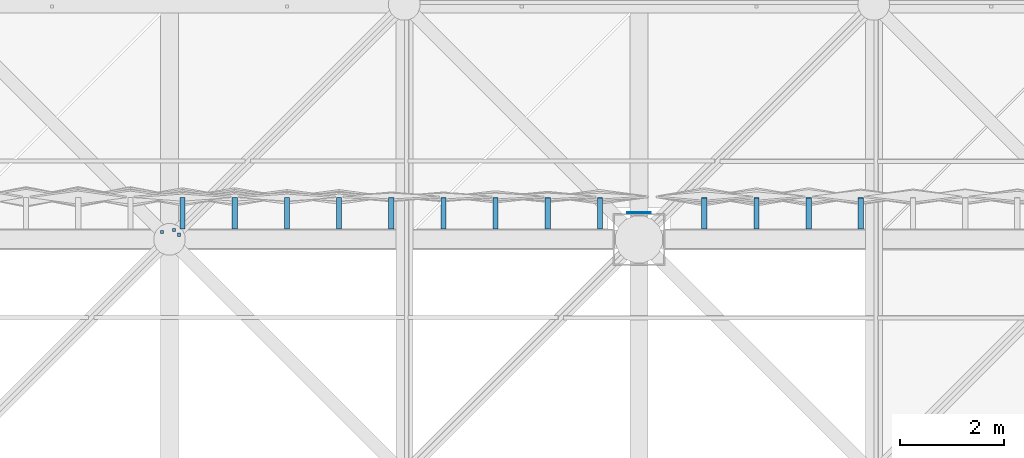
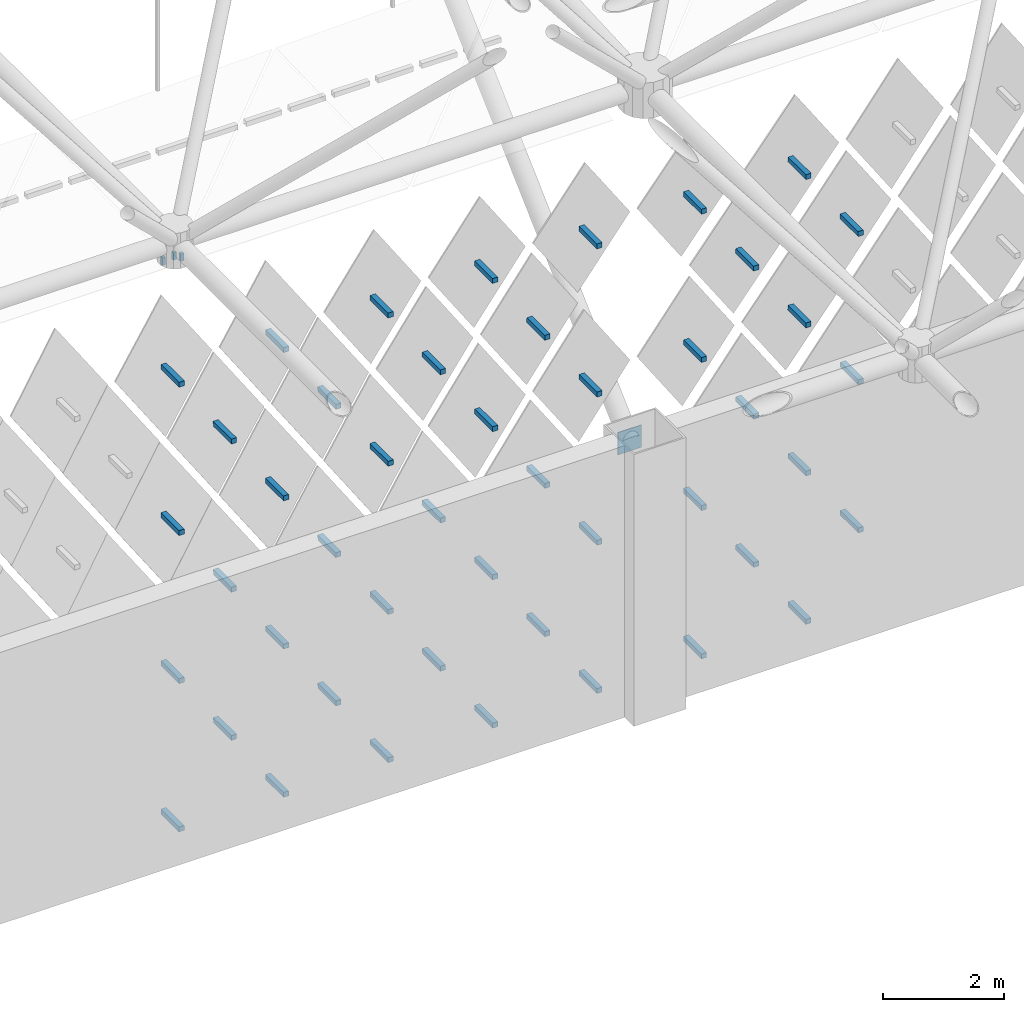
# One storey, part 394 of 437: 50 discrete accessories.
"""IFC4 building model written with IfcOpenShell, lengths in metres."""

from ifc_helpers import new_model, si_unit, direction, frame, origin, place, context, subcontext, project, spatial, polyline, outline, extrude, material, layer, layer_set, type_object, element, save


model = new_model("IFC4")

# Units and contexts
model_context = context("Model", 3, precision=1e-05, world=origin(), true_north=direction((0.0, 1.0)))
body_context = subcontext(model_context, "Body", "Model", "MODEL_VIEW")
ifc_project = project(units=[si_unit("LENGTHUNIT", "METRE"), si_unit("AREAUNIT", "SQUARE_METRE"), si_unit("VOLUMEUNIT", "CUBIC_METRE"), si_unit("PLANEANGLEUNIT", "RADIAN"), si_unit("MASSUNIT", "GRAM", prefix="KILO")], contexts=[model_context])

# Site, building, storey
site_placement = place(None, origin())
site = spatial("IfcSite", under=ifc_project, at=site_placement, CompositionType="ELEMENT")
building_placement = place(site_placement, origin())
building = spatial("IfcBuilding", under=site, at=building_placement, Name="Opaline Strait Convention Centre", CompositionType="ELEMENT")
storey_placement = place(building_placement, frame((0.0, 0.0, 11.5)))
storey = spatial("IfcBuildingStorey", under=building, at=storey_placement, Name="L02", CompositionType="ELEMENT", Elevation=11.5)

# Discrete accessories
ifc_material_1 = material(Name="Structural steel Q355B", Category="steel")
ifc_layer = layer(ifc_material_1, 0.01611328125)
ifc_layer_set = layer_set([ifc_layer], Name="Structural steel Q355B")
discrete_accessory_type_1 = type_object("IfcDiscreteAccessoryType", Name="Prop bearing plate 450 x 450 x 16", PredefinedType="ANCHORPLATE", material=ifc_layer_set)
discrete_accessory_1_placement = place(storey_placement, frame((0.0, 0.0, 4.7900390625)))
element("IfcDiscreteAccessory", 1, at=discrete_accessory_1_placement, inside=storey, type_object=discrete_accessory_type_1, Name="Prop bearing plate 225/153 N", PredefinedType="ANCHORPLATE", context=body_context, shape_type="SweptSolid", body=[
    extrude(outline(polyline([(224.77490234375, 153.5), (225.22509765625, 153.5), (225.22509765625, 153.51611328125), (224.77490234375, 153.51611328125), (224.77490234375, 153.5)])), origin(), (0.0, 0.0, 1.0), 0.449951171875),
])
ifc_material_2 = material(Name="Steel Q355B", Category="steel")
discrete_accessory_type_2 = type_object("IfcDiscreteAccessoryType", Name="Soffit hanger 60x60 steel", PredefinedType="BRACKET", material=ifc_material_2)
discrete_accessory_2_placement = place(storey_placement, frame((0.0, 0.0, 11.990234375)))
element("IfcDiscreteAccessory", 2, at=discrete_accessory_2_placement, inside=storey, type_object=discrete_accessory_type_2, Name="Soffit hanger", PredefinedType="BRACKET", context=body_context, shape_type="SweptSolid", body=[
    extrude(outline(polyline([(215.82861328125, 153.111328125), (215.888671875, 153.111328125), (215.888671875, 153.17138671875), (215.82861328125, 153.17138671875), (215.82861328125, 153.111328125)])), origin(), (0.0, 0.0, 1.0), 0.149658203125),
])
discrete_accessory_3_placement = place(storey_placement, frame((0.0, 0.0, 11.9931640625)))
element("IfcDiscreteAccessory", 3, at=discrete_accessory_3_placement, inside=storey, type_object=discrete_accessory_type_2, Name="Soffit hanger", PredefinedType="BRACKET", context=body_context, shape_type="SweptSolid", body=[
    extrude(outline(polyline([(216.14892578125, 153.059326171875), (216.208984375, 153.059326171875), (216.208984375, 153.119140625), (216.14892578125, 153.119140625), (216.14892578125, 153.059326171875)])), origin(), (0.0, 0.0, 1.0), 0.146728515625),
])
discrete_accessory_4_placement = place(storey_placement, frame((0.0, 0.0, 11.9931640625)))
element("IfcDiscreteAccessory", 4, at=discrete_accessory_4_placement, inside=storey, type_object=discrete_accessory_type_2, Name="Soffit hanger", PredefinedType="BRACKET", context=body_context, shape_type="SweptSolid", body=[
    extrude(outline(polyline([(216.059326171875, 153.14892578125), (216.119140625, 153.14892578125), (216.119140625, 153.208984375), (216.059326171875, 153.208984375), (216.059326171875, 153.14892578125)])), origin(), (0.0, 0.0, 1.0), 0.146728515625),
])
discrete_accessory_type_3 = type_object("IfcDiscreteAccessoryType", Name="Tile bracket 100x100 steel", PredefinedType="BRACKET", material=ifc_material_2)
discrete_accessory_5_placement = place(storey_placement, frame((228.300048828125, 153.199951171875, 0.39208984375), z_axis=(-1.0, 0.0, 0.0), x_axis=(0.0, -1.0, 0.0)))
element("IfcDiscreteAccessory", 5, at=discrete_accessory_5_placement, inside=storey, type_object=discrete_accessory_type_3, Name="Tile bracket XT07 N", PredefinedType="BRACKET", context=body_context, shape_type="SweptSolid", body=[
    extrude(outline(polyline([(0.0, -0.050048828125), (0.0, 0.050048828125), (-0.596923828125, 0.050048828125), (-0.60302734375, -0.050048828125), (0.0, -0.050048828125)])), origin(), (0.0, 0.0, 1.0), 0.10009765625),
])
discrete_accessory_6_placement = place(storey_placement, frame((226.300048828125, 153.199951171875, 0.39208984375), z_axis=(-1.0, 0.0, 0.0), x_axis=(0.0, -1.0, 0.0)))
element("IfcDiscreteAccessory", 6, at=discrete_accessory_6_placement, inside=storey, type_object=discrete_accessory_type_3, Name="Tile bracket XT05 N", PredefinedType="BRACKET", context=body_context, shape_type="SweptSolid", body=[
    extrude(outline(polyline([(0.0, -0.050048828125), (0.0, 0.050048828125), (-0.597900390625, 0.050048828125), (-0.602294921875, -0.050048828125), (0.0, -0.050048828125)])), origin(), (0.0, 0.0, 1.0), 0.10009765625),
])
discrete_accessory_7_placement = place(storey_placement, frame((224.300048828125, 153.199951171875, 0.39208984375), z_axis=(-1.0, 0.0, 0.0), x_axis=(0.0, -1.0, 0.0)))
element("IfcDiscreteAccessory", 7, at=discrete_accessory_7_placement, inside=storey, type_object=discrete_accessory_type_3, Name="Tile bracket XT05 N", PredefinedType="BRACKET", context=body_context, shape_type="SweptSolid", body=[
    extrude(outline(polyline([(0.0, -0.050048828125), (0.0, 0.050048828125), (-0.602294921875, 0.050048828125), (-0.597900390625, -0.050048828125), (0.0, -0.050048828125)])), origin(), (0.0, 0.0, 1.0), 0.10009765625),
])
discrete_accessory_8_placement = place(storey_placement, frame((222.300048828125, 153.199951171875, 0.39208984375), z_axis=(-1.0, 0.0, 0.0), x_axis=(0.0, -1.0, 0.0)))
element("IfcDiscreteAccessory", 8, at=discrete_accessory_8_placement, inside=storey, type_object=discrete_accessory_type_3, Name="Tile bracket XT07 N", PredefinedType="BRACKET", context=body_context, shape_type="SweptSolid", body=[
    extrude(outline(polyline([(0.0, -0.050048828125), (0.0, 0.050048828125), (-0.60302734375, 0.050048828125), (-0.596923828125, -0.050048828125), (0.0, -0.050048828125)])), origin(), (0.0, 0.0, 1.0), 0.10009765625),
])
discrete_accessory_9_placement = place(storey_placement, frame((220.300048828125, 153.199951171875, 0.39208984375), z_axis=(-1.0, 0.0, 0.0), x_axis=(0.0, -1.0, 0.0)))
element("IfcDiscreteAccessory", 9, at=discrete_accessory_9_placement, inside=storey, type_object=discrete_accessory_type_3, Name="Tile bracket XT10 N", PredefinedType="BRACKET", context=body_context, shape_type="SweptSolid", body=[
    extrude(outline(polyline([(0.0, -0.050048828125), (0.0, 0.050048828125), (-0.604248046875, 0.050048828125), (-0.595703125, -0.050048828125), (0.0, -0.050048828125)])), origin(), (0.0, 0.0, 1.0), 0.10009765625),
])
discrete_accessory_10_placement = place(storey_placement, frame((218.300048828125, 153.199951171875, 0.39208984375), z_axis=(-1.0, 0.0, 0.0), x_axis=(0.0, -1.0, 0.0)))
element("IfcDiscreteAccessory", 10, at=discrete_accessory_10_placement, inside=storey, type_object=discrete_accessory_type_3, Name="Tile bracket XT13 N", PredefinedType="BRACKET", context=body_context, shape_type="SweptSolid", body=[
    extrude(outline(polyline([(0.0, -0.050048828125), (0.0, 0.050048828125), (-0.605712890625, 0.050048828125), (-0.59423828125, -0.050048828125), (0.0, -0.050048828125)])), origin(), (0.0, 0.0, 1.0), 0.10009765625),
])
discrete_accessory_11_placement = place(storey_placement, frame((216.300048828125, 153.199951171875, 0.39208984375), z_axis=(-1.0, 0.0, 0.0), x_axis=(0.0, -1.0, 0.0)))
element("IfcDiscreteAccessory", 11, at=discrete_accessory_11_placement, inside=storey, type_object=discrete_accessory_type_3, Name="Tile bracket XT14 N", PredefinedType="BRACKET", context=body_context, shape_type="SweptSolid", body=[
    extrude(outline(polyline([(0.0, -0.050048828125), (0.0, 0.050048828125), (-0.606201171875, 0.050048828125), (-0.59375, -0.050048828125), (0.0, -0.050048828125)])), origin(), (0.0, 0.0, 1.0), 0.10009765625),
])
discrete_accessory_12_placement = place(storey_placement, frame((229.300048828125, 153.199951171875, 1.89208984375), z_axis=(-1.0, 0.0, 0.0), x_axis=(0.0, -1.0, 0.0)))
element("IfcDiscreteAccessory", 12, at=discrete_accessory_12_placement, inside=storey, type_object=discrete_accessory_type_3, Name="Tile bracket XT10 N", PredefinedType="BRACKET", context=body_context, shape_type="SweptSolid", body=[
    extrude(outline(polyline([(0.0, -0.050048828125), (0.0, 0.050048828125), (-0.595703125, 0.050048828125), (-0.604248046875, -0.050048828125), (0.0, -0.050048828125)])), origin(), (0.0, 0.0, 1.0), 0.10009765625),
])
discrete_accessory_13_placement = place(storey_placement, frame((227.300048828125, 153.199951171875, 1.89208984375), z_axis=(-1.0, 0.0, 0.0), x_axis=(0.0, -1.0, 0.0)))
element("IfcDiscreteAccessory", 13, at=discrete_accessory_13_placement, inside=storey, type_object=discrete_accessory_type_3, Name="Tile bracket XT07 N", PredefinedType="BRACKET", context=body_context, shape_type="SweptSolid", body=[
    extrude(outline(polyline([(0.0, -0.050048828125), (0.0, 0.050048828125), (-0.596923828125, 0.050048828125), (-0.60302734375, -0.050048828125), (0.0, -0.050048828125)])), origin(), (0.0, 0.0, 1.0), 0.10009765625),
])
discrete_accessory_14_placement = place(storey_placement, frame((223.300048828125, 153.199951171875, 1.89208984375), z_axis=(-1.0, 0.0, 0.0), x_axis=(0.0, -1.0, 0.0)))
element("IfcDiscreteAccessory", 14, at=discrete_accessory_14_placement, inside=storey, type_object=discrete_accessory_type_3, Name="Tile bracket XT05 N", PredefinedType="BRACKET", context=body_context, shape_type="SweptSolid", body=[
    extrude(outline(polyline([(0.0, -0.050048828125), (0.0, 0.050048828125), (-0.602294921875, 0.050048828125), (-0.597900390625, -0.050048828125), (0.0, -0.050048828125)])), origin(), (0.0, 0.0, 1.0), 0.10009765625),
])
discrete_accessory_15_placement = place(storey_placement, frame((221.300048828125, 153.199951171875, 1.89208984375), z_axis=(-1.0, 0.0, 0.0), x_axis=(0.0, -1.0, 0.0)))
element("IfcDiscreteAccessory", 15, at=discrete_accessory_15_placement, inside=storey, type_object=discrete_accessory_type_3, Name="Tile bracket XT06 N", PredefinedType="BRACKET", context=body_context, shape_type="SweptSolid", body=[
    extrude(outline(polyline([(0.0, -0.050048828125), (0.0, 0.050048828125), (-0.6025390625, 0.050048828125), (-0.597412109375, -0.050048828125), (0.0, -0.050048828125)])), origin(), (0.0, 0.0, 1.0), 0.10009765625),
])
discrete_accessory_16_placement = place(storey_placement, frame((219.300048828125, 153.199951171875, 1.89208984375), z_axis=(-1.0, 0.0, 0.0), x_axis=(0.0, -1.0, 0.0)))
element("IfcDiscreteAccessory", 16, at=discrete_accessory_16_placement, inside=storey, type_object=discrete_accessory_type_3, Name="Tile bracket XT10 N", PredefinedType="BRACKET", context=body_context, shape_type="SweptSolid", body=[
    extrude(outline(polyline([(0.0, -0.050048828125), (0.0, 0.050048828125), (-0.604248046875, 0.050048828125), (-0.595703125, -0.050048828125), (0.0, -0.050048828125)])), origin(), (0.0, 0.0, 1.0), 0.10009765625),
])
discrete_accessory_17_placement = place(storey_placement, frame((217.300048828125, 153.199951171875, 1.89208984375), z_axis=(-1.0, 0.0, 0.0), x_axis=(0.0, -1.0, 0.0)))
element("IfcDiscreteAccessory", 17, at=discrete_accessory_17_placement, inside=storey, type_object=discrete_accessory_type_3, Name="Tile bracket XT13 N", PredefinedType="BRACKET", context=body_context, shape_type="SweptSolid", body=[
    extrude(outline(polyline([(0.0, -0.050048828125), (0.0, 0.050048828125), (-0.605712890625, 0.050048828125), (-0.59423828125, -0.050048828125), (0.0, -0.050048828125)])), origin(), (0.0, 0.0, 1.0), 0.10009765625),
])
discrete_accessory_18_placement = place(storey_placement, frame((228.300048828125, 153.199951171875, 3.39208984375), z_axis=(-1.0, 0.0, 0.0), x_axis=(0.0, -1.0, 0.0)))
element("IfcDiscreteAccessory", 18, at=discrete_accessory_18_placement, inside=storey, type_object=discrete_accessory_type_3, Name="Tile bracket XT11 N", PredefinedType="BRACKET", context=body_context, shape_type="SweptSolid", body=[
    extrude(outline(polyline([(0.0, -0.050048828125), (0.0, 0.050048828125), (-0.59521484375, 0.050048828125), (-0.604736328125, -0.050048828125), (0.0, -0.050048828125)])), origin(), (0.0, 0.0, 1.0), 0.10009765625),
])
discrete_accessory_19_placement = place(storey_placement, frame((226.300048828125, 153.199951171875, 3.39208984375), z_axis=(-1.0, 0.0, 0.0), x_axis=(0.0, -1.0, 0.0)))
element("IfcDiscreteAccessory", 19, at=discrete_accessory_19_placement, inside=storey, type_object=discrete_accessory_type_3, Name="Tile bracket XT07 N", PredefinedType="BRACKET", context=body_context, shape_type="SweptSolid", body=[
    extrude(outline(polyline([(0.0, -0.050048828125), (0.0, 0.050048828125), (-0.596923828125, 0.050048828125), (-0.60302734375, -0.050048828125), (0.0, -0.050048828125)])), origin(), (0.0, 0.0, 1.0), 0.10009765625),
])
discrete_accessory_20_placement = place(storey_placement, frame((224.300048828125, 153.199951171875, 3.39208984375), z_axis=(-1.0, 0.0, 0.0), x_axis=(0.0, -1.0, 0.0)))
element("IfcDiscreteAccessory", 20, at=discrete_accessory_20_placement, inside=storey, type_object=discrete_accessory_type_3, Name="Tile bracket XT05 N", PredefinedType="BRACKET", context=body_context, shape_type="SweptSolid", body=[
    extrude(outline(polyline([(0.0, -0.050048828125), (0.0, 0.050048828125), (-0.597900390625, 0.050048828125), (-0.602294921875, -0.050048828125), (0.0, -0.050048828125)])), origin(), (0.0, 0.0, 1.0), 0.10009765625),
])
discrete_accessory_21_placement = place(storey_placement, frame((222.300048828125, 153.199951171875, 3.39208984375), z_axis=(-1.0, 0.0, 0.0), x_axis=(0.0, -1.0, 0.0)))
element("IfcDiscreteAccessory", 21, at=discrete_accessory_21_placement, inside=storey, type_object=discrete_accessory_type_3, Name="Tile bracket XT05 N", PredefinedType="BRACKET", context=body_context, shape_type="SweptSolid", body=[
    extrude(outline(polyline([(0.0, -0.050048828125), (0.0, 0.050048828125), (-0.602294921875, 0.050048828125), (-0.597900390625, -0.050048828125), (0.0, -0.050048828125)])), origin(), (0.0, 0.0, 1.0), 0.10009765625),
])
discrete_accessory_22_placement = place(storey_placement, frame((220.300048828125, 153.199951171875, 3.39208984375), z_axis=(-1.0, 0.0, 0.0), x_axis=(0.0, -1.0, 0.0)))
element("IfcDiscreteAccessory", 22, at=discrete_accessory_22_placement, inside=storey, type_object=discrete_accessory_type_3, Name="Tile bracket XT06 N", PredefinedType="BRACKET", context=body_context, shape_type="SweptSolid", body=[
    extrude(outline(polyline([(0.0, -0.050048828125), (0.0, 0.050048828125), (-0.6025390625, 0.050048828125), (-0.597412109375, -0.050048828125), (0.0, -0.050048828125)])), origin(), (0.0, 0.0, 1.0), 0.10009765625),
])
discrete_accessory_23_placement = place(storey_placement, frame((218.300048828125, 153.199951171875, 3.39208984375), z_axis=(-1.0, 0.0, 0.0), x_axis=(0.0, -1.0, 0.0)))
element("IfcDiscreteAccessory", 23, at=discrete_accessory_23_placement, inside=storey, type_object=discrete_accessory_type_3, Name="Tile bracket XT10 N", PredefinedType="BRACKET", context=body_context, shape_type="SweptSolid", body=[
    extrude(outline(polyline([(0.0, -0.050048828125), (0.0, 0.050048828125), (-0.604248046875, 0.050048828125), (-0.595703125, -0.050048828125), (0.0, -0.050048828125)])), origin(), (0.0, 0.0, 1.0), 0.10009765625),
])
discrete_accessory_24_placement = place(storey_placement, frame((216.300048828125, 153.199951171875, 3.39208984375), z_axis=(-1.0, 0.0, 0.0), x_axis=(0.0, -1.0, 0.0)))
element("IfcDiscreteAccessory", 24, at=discrete_accessory_24_placement, inside=storey, type_object=discrete_accessory_type_3, Name="Tile bracket XT13 N", PredefinedType="BRACKET", context=body_context, shape_type="SweptSolid", body=[
    extrude(outline(polyline([(0.0, -0.050048828125), (0.0, 0.050048828125), (-0.605712890625, 0.050048828125), (-0.59423828125, -0.050048828125), (0.0, -0.050048828125)])), origin(), (0.0, 0.0, 1.0), 0.10009765625),
])
discrete_accessory_25_placement = place(storey_placement, frame((229.300048828125, 153.199951171875, 4.89208984375), z_axis=(-1.0, 0.0, 0.0), x_axis=(0.0, -1.0, 0.0)))
element("IfcDiscreteAccessory", 25, at=discrete_accessory_25_placement, inside=storey, type_object=discrete_accessory_type_3, Name="Tile bracket XT12 N", PredefinedType="BRACKET", context=body_context, shape_type="SweptSolid", body=[
    extrude(outline(polyline([(0.0, -0.050048828125), (0.0, 0.050048828125), (-0.5947265625, 0.050048828125), (-0.605224609375, -0.050048828125), (0.0, -0.050048828125)])), origin(), (0.0, 0.0, 1.0), 0.10009765625),
])
discrete_accessory_26_placement = place(storey_placement, frame((227.300048828125, 153.199951171875, 4.89208984375), z_axis=(-1.0, 0.0, 0.0), x_axis=(0.0, -1.0, 0.0)))
element("IfcDiscreteAccessory", 26, at=discrete_accessory_26_placement, inside=storey, type_object=discrete_accessory_type_3, Name="Tile bracket XT11 N", PredefinedType="BRACKET", context=body_context, shape_type="SweptSolid", body=[
    extrude(outline(polyline([(0.0, -0.050048828125), (0.0, 0.050048828125), (-0.59521484375, 0.050048828125), (-0.604736328125, -0.050048828125), (0.0, -0.050048828125)])), origin(), (0.0, 0.0, 1.0), 0.10009765625),
])
discrete_accessory_27_placement = place(storey_placement, frame((223.300048828125, 153.199951171875, 4.89208984375), z_axis=(-1.0, 0.0, 0.0), x_axis=(0.0, -1.0, 0.0)))
element("IfcDiscreteAccessory", 27, at=discrete_accessory_27_placement, inside=storey, type_object=discrete_accessory_type_3, Name="Tile bracket XT05 N", PredefinedType="BRACKET", context=body_context, shape_type="SweptSolid", body=[
    extrude(outline(polyline([(0.0, -0.050048828125), (0.0, 0.050048828125), (-0.597900390625, 0.050048828125), (-0.602294921875, -0.050048828125), (0.0, -0.050048828125)])), origin(), (0.0, 0.0, 1.0), 0.10009765625),
])
discrete_accessory_28_placement = place(storey_placement, frame((221.300048828125, 153.199951171875, 4.89208984375), z_axis=(-1.0, 0.0, 0.0), x_axis=(0.0, -1.0, 0.0)))
element("IfcDiscreteAccessory", 28, at=discrete_accessory_28_placement, inside=storey, type_object=discrete_accessory_type_3, Name="Tile bracket XT05 N", PredefinedType="BRACKET", context=body_context, shape_type="SweptSolid", body=[
    extrude(outline(polyline([(0.0, -0.050048828125), (0.0, 0.050048828125), (-0.602294921875, 0.050048828125), (-0.597900390625, -0.050048828125), (0.0, -0.050048828125)])), origin(), (0.0, 0.0, 1.0), 0.10009765625),
])
discrete_accessory_29_placement = place(storey_placement, frame((219.300048828125, 153.199951171875, 4.89208984375), z_axis=(-1.0, 0.0, 0.0), x_axis=(0.0, -1.0, 0.0)))
element("IfcDiscreteAccessory", 29, at=discrete_accessory_29_placement, inside=storey, type_object=discrete_accessory_type_3, Name="Tile bracket XT06 N", PredefinedType="BRACKET", context=body_context, shape_type="SweptSolid", body=[
    extrude(outline(polyline([(0.0, -0.050048828125), (0.0, 0.050048828125), (-0.6025390625, 0.050048828125), (-0.597412109375, -0.050048828125), (0.0, -0.050048828125)])), origin(), (0.0, 0.0, 1.0), 0.10009765625),
])
discrete_accessory_30_placement = place(storey_placement, frame((217.300048828125, 153.199951171875, 4.89208984375), z_axis=(-1.0, 0.0, 0.0), x_axis=(0.0, -1.0, 0.0)))
element("IfcDiscreteAccessory", 30, at=discrete_accessory_30_placement, inside=storey, type_object=discrete_accessory_type_3, Name="Tile bracket XT10 N", PredefinedType="BRACKET", context=body_context, shape_type="SweptSolid", body=[
    extrude(outline(polyline([(0.0, -0.050048828125), (0.0, 0.050048828125), (-0.604248046875, 0.050048828125), (-0.595703125, -0.050048828125), (0.0, -0.050048828125)])), origin(), (0.0, 0.0, 1.0), 0.10009765625),
])
discrete_accessory_31_placement = place(storey_placement, frame((228.300048828125, 153.199951171875, 6.39208984375), z_axis=(-1.0, 0.0, 0.0), x_axis=(0.0, -1.0, 0.0)))
element("IfcDiscreteAccessory", 31, at=discrete_accessory_31_placement, inside=storey, type_object=discrete_accessory_type_3, Name="Tile bracket XT13 N", PredefinedType="BRACKET", context=body_context, shape_type="SweptSolid", body=[
    extrude(outline(polyline([(0.0, -0.050048828125), (0.0, 0.050048828125), (-0.59423828125, 0.050048828125), (-0.605712890625, -0.050048828125), (0.0, -0.050048828125)])), origin(), (0.0, 0.0, 1.0), 0.10009765625),
])
discrete_accessory_32_placement = place(storey_placement, frame((226.300048828125, 153.199951171875, 6.39208984375), z_axis=(-1.0, 0.0, 0.0), x_axis=(0.0, -1.0, 0.0)))
element("IfcDiscreteAccessory", 32, at=discrete_accessory_32_placement, inside=storey, type_object=discrete_accessory_type_3, Name="Tile bracket XT11 N", PredefinedType="BRACKET", context=body_context, shape_type="SweptSolid", body=[
    extrude(outline(polyline([(0.0, -0.050048828125), (0.0, 0.050048828125), (-0.59521484375, 0.050048828125), (-0.604736328125, -0.050048828125), (0.0, -0.050048828125)])), origin(), (0.0, 0.0, 1.0), 0.10009765625),
])
discrete_accessory_33_placement = place(storey_placement, frame((224.300048828125, 153.199951171875, 6.39208984375), z_axis=(-1.0, 0.0, 0.0), x_axis=(0.0, -1.0, 0.0)))
element("IfcDiscreteAccessory", 33, at=discrete_accessory_33_placement, inside=storey, type_object=discrete_accessory_type_3, Name="Tile bracket XT08 N", PredefinedType="BRACKET", context=body_context, shape_type="SweptSolid", body=[
    extrude(outline(polyline([(0.0, -0.050048828125), (0.0, 0.050048828125), (-0.596435546875, 0.050048828125), (-0.603515625, -0.050048828125), (0.0, -0.050048828125)])), origin(), (0.0, 0.0, 1.0), 0.10009765625),
])
discrete_accessory_34_placement = place(storey_placement, frame((222.300048828125, 153.199951171875, 6.39208984375), z_axis=(-1.0, 0.0, 0.0), x_axis=(0.0, -1.0, 0.0)))
element("IfcDiscreteAccessory", 34, at=discrete_accessory_34_placement, inside=storey, type_object=discrete_accessory_type_3, Name="Tile bracket XT05 N", PredefinedType="BRACKET", context=body_context, shape_type="SweptSolid", body=[
    extrude(outline(polyline([(0.0, -0.050048828125), (0.0, 0.050048828125), (-0.597900390625, 0.050048828125), (-0.602294921875, -0.050048828125), (0.0, -0.050048828125)])), origin(), (0.0, 0.0, 1.0), 0.10009765625),
])
discrete_accessory_35_placement = place(storey_placement, frame((220.300048828125, 153.199951171875, 6.39208984375), z_axis=(-1.0, 0.0, 0.0), x_axis=(0.0, -1.0, 0.0)))
element("IfcDiscreteAccessory", 35, at=discrete_accessory_35_placement, inside=storey, type_object=discrete_accessory_type_3, Name="Tile bracket XT05 N", PredefinedType="BRACKET", context=body_context, shape_type="SweptSolid", body=[
    extrude(outline(polyline([(0.0, -0.050048828125), (0.0, 0.050048828125), (-0.602294921875, 0.050048828125), (-0.597900390625, -0.050048828125), (0.0, -0.050048828125)])), origin(), (0.0, 0.0, 1.0), 0.10009765625),
])
discrete_accessory_36_placement = place(storey_placement, frame((218.300048828125, 153.199951171875, 6.39208984375), z_axis=(-1.0, 0.0, 0.0), x_axis=(0.0, -1.0, 0.0)))
element("IfcDiscreteAccessory", 36, at=discrete_accessory_36_placement, inside=storey, type_object=discrete_accessory_type_3, Name="Tile bracket XT06 N", PredefinedType="BRACKET", context=body_context, shape_type="SweptSolid", body=[
    extrude(outline(polyline([(0.0, -0.050048828125), (0.0, 0.050048828125), (-0.6025390625, 0.050048828125), (-0.597412109375, -0.050048828125), (0.0, -0.050048828125)])), origin(), (0.0, 0.0, 1.0), 0.10009765625),
])
discrete_accessory_37_placement = place(storey_placement, frame((216.300048828125, 153.199951171875, 6.39208984375), z_axis=(-1.0, 0.0, 0.0), x_axis=(0.0, -1.0, 0.0)))
element("IfcDiscreteAccessory", 37, at=discrete_accessory_37_placement, inside=storey, type_object=discrete_accessory_type_3, Name="Tile bracket XT10 N", PredefinedType="BRACKET", context=body_context, shape_type="SweptSolid", body=[
    extrude(outline(polyline([(0.0, -0.050048828125), (0.0, 0.050048828125), (-0.604248046875, 0.050048828125), (-0.595703125, -0.050048828125), (0.0, -0.050048828125)])), origin(), (0.0, 0.0, 1.0), 0.10009765625),
])
discrete_accessory_38_placement = place(storey_placement, frame((229.300048828125, 153.199951171875, 7.89208984375), z_axis=(-1.0, 0.0, 0.0), x_axis=(0.0, -1.0, 0.0)))
element("IfcDiscreteAccessory", 38, at=discrete_accessory_38_placement, inside=storey, type_object=discrete_accessory_type_3, Name="Tile bracket XT12 N", PredefinedType="BRACKET", context=body_context, shape_type="SweptSolid", body=[
    extrude(outline(polyline([(0.0, -0.050048828125), (0.0, 0.050048828125), (-0.5947265625, 0.050048828125), (-0.605224609375, -0.050048828125), (0.0, -0.050048828125)])), origin(), (0.0, 0.0, 1.0), 0.10009765625),
])
discrete_accessory_39_placement = place(storey_placement, frame((227.300048828125, 153.199951171875, 7.89208984375), z_axis=(-1.0, 0.0, 0.0), x_axis=(0.0, -1.0, 0.0)))
element("IfcDiscreteAccessory", 39, at=discrete_accessory_39_placement, inside=storey, type_object=discrete_accessory_type_3, Name="Tile bracket XT13 N", PredefinedType="BRACKET", context=body_context, shape_type="SweptSolid", body=[
    extrude(outline(polyline([(0.0, -0.050048828125), (0.0, 0.050048828125), (-0.59423828125, 0.050048828125), (-0.605712890625, -0.050048828125), (0.0, -0.050048828125)])), origin(), (0.0, 0.0, 1.0), 0.10009765625),
])
discrete_accessory_40_placement = place(storey_placement, frame((223.300048828125, 153.199951171875, 7.89208984375), z_axis=(-1.0, 0.0, 0.0), x_axis=(0.0, -1.0, 0.0)))
element("IfcDiscreteAccessory", 40, at=discrete_accessory_40_placement, inside=storey, type_object=discrete_accessory_type_3, Name="Tile bracket XT08 N", PredefinedType="BRACKET", context=body_context, shape_type="SweptSolid", body=[
    extrude(outline(polyline([(0.0, -0.050048828125), (0.0, 0.050048828125), (-0.596435546875, 0.050048828125), (-0.603515625, -0.050048828125), (0.0, -0.050048828125)])), origin(), (0.0, 0.0, 1.0), 0.10009765625),
])
discrete_accessory_41_placement = place(storey_placement, frame((221.300048828125, 153.199951171875, 7.89208984375), z_axis=(-1.0, 0.0, 0.0), x_axis=(0.0, -1.0, 0.0)))
element("IfcDiscreteAccessory", 41, at=discrete_accessory_41_placement, inside=storey, type_object=discrete_accessory_type_3, Name="Tile bracket XT05 N", PredefinedType="BRACKET", context=body_context, shape_type="SweptSolid", body=[
    extrude(outline(polyline([(0.0, -0.050048828125), (0.0, 0.050048828125), (-0.597900390625, 0.050048828125), (-0.602294921875, -0.050048828125), (0.0, -0.050048828125)])), origin(), (0.0, 0.0, 1.0), 0.10009765625),
])
for number, where, z_axis, x_axis, name in (
    (42, (219.300048828125, 153.199951171875, 7.89208984375), (-1.0, 0.0, 0.0), (0.0, -1.0, 0.0), "Tile bracket XT05 N"),
    (43, (217.300048828125, 153.199951171875, 7.89208984375), (-1.0, 0.0, 0.0), (0.0, -1.0, 0.0), "Tile bracket XT05 N"),
):
    element("IfcDiscreteAccessory", number, at=place(storey_placement, frame(where, z_axis=z_axis, x_axis=x_axis)), inside=storey, type_object=discrete_accessory_type_3, Name=name, PredefinedType="BRACKET", context=body_context, shape_type="SweptSolid", body=[
        extrude(outline(polyline([(0.0, -0.050048828125), (0.0, 0.050048828125), (-0.602294921875, 0.050048828125), (-0.597900390625, -0.050048828125), (0.0, -0.050048828125)])), origin(), (0.0, 0.0, 1.0), 0.10009765625),
    ])
for number, where, z_axis, x_axis, name in (
    (44, (228.300048828125, 153.199951171875, 9.39208984375), (-1.0, 0.0, 0.0), (0.0, -1.0, 0.0), "Tile bracket XT13 N"),
    (45, (226.300048828125, 153.199951171875, 9.39208984375), (-1.0, 0.0, 0.0), (0.0, -1.0, 0.0), "Tile bracket XT13 N"),
):
    element("IfcDiscreteAccessory", number, at=place(storey_placement, frame(where, z_axis=z_axis, x_axis=x_axis)), inside=storey, type_object=discrete_accessory_type_3, Name=name, PredefinedType="BRACKET", context=body_context, shape_type="SweptSolid", body=[
        extrude(outline(polyline([(0.0, -0.050048828125), (0.0, 0.050048828125), (-0.59423828125, 0.050048828125), (-0.605712890625, -0.050048828125), (0.0, -0.050048828125)])), origin(), (0.0, 0.0, 1.0), 0.10009765625),
    ])
discrete_accessory_42_placement = place(storey_placement, frame((224.300048828125, 153.199951171875, 9.39208984375), z_axis=(-1.0, 0.0, 0.0), x_axis=(0.0, -1.0, 0.0)))
element("IfcDiscreteAccessory", 46, at=discrete_accessory_42_placement, inside=storey, type_object=discrete_accessory_type_3, Name="Tile bracket XT11 N", PredefinedType="BRACKET", context=body_context, shape_type="SweptSolid", body=[
    extrude(outline(polyline([(0.0, -0.050048828125), (0.0, 0.050048828125), (-0.59521484375, 0.050048828125), (-0.604736328125, -0.050048828125), (0.0, -0.050048828125)])), origin(), (0.0, 0.0, 1.0), 0.10009765625),
])
discrete_accessory_43_placement = place(storey_placement, frame((222.300048828125, 153.199951171875, 9.39208984375), z_axis=(-1.0, 0.0, 0.0), x_axis=(0.0, -1.0, 0.0)))
element("IfcDiscreteAccessory", 47, at=discrete_accessory_43_placement, inside=storey, type_object=discrete_accessory_type_3, Name="Tile bracket XT09 N", PredefinedType="BRACKET", context=body_context, shape_type="SweptSolid", body=[
    extrude(outline(polyline([(0.0, -0.050048828125), (0.0, 0.050048828125), (-0.595947265625, 0.050048828125), (-0.60400390625, -0.050048828125), (0.0, -0.050048828125)])), origin(), (0.0, 0.0, 1.0), 0.10009765625),
])
discrete_accessory_44_placement = place(storey_placement, frame((220.300048828125, 153.199951171875, 9.39208984375), z_axis=(-1.0, 0.0, 0.0), x_axis=(0.0, -1.0, 0.0)))
element("IfcDiscreteAccessory", 48, at=discrete_accessory_44_placement, inside=storey, type_object=discrete_accessory_type_3, Name="Tile bracket XT05 N", PredefinedType="BRACKET", context=body_context, shape_type="SweptSolid", body=[
    extrude(outline(polyline([(0.0, -0.050048828125), (0.0, 0.050048828125), (-0.597900390625, 0.050048828125), (-0.602294921875, -0.050048828125), (0.0, -0.050048828125)])), origin(), (0.0, 0.0, 1.0), 0.10009765625),
])
for number, where, z_axis, x_axis, name in (
    (49, (218.300048828125, 153.199951171875, 9.39208984375), (-1.0, 0.0, 0.0), (0.0, -1.0, 0.0), "Tile bracket XT05 N"),
    (50, (216.300048828125, 153.199951171875, 9.39208984375), (-1.0, 0.0, 0.0), (0.0, -1.0, 0.0), "Tile bracket XT05 N"),
):
    element("IfcDiscreteAccessory", number, at=place(storey_placement, frame(where, z_axis=z_axis, x_axis=x_axis)), inside=storey, type_object=discrete_accessory_type_3, Name=name, PredefinedType="BRACKET", context=body_context, shape_type="SweptSolid", body=[
        extrude(outline(polyline([(0.0, -0.050048828125), (0.0, 0.050048828125), (-0.602294921875, 0.050048828125), (-0.597900390625, -0.050048828125), (0.0, -0.050048828125)])), origin(), (0.0, 0.0, 1.0), 0.10009765625),
    ])

save(model, "model.ifc")
